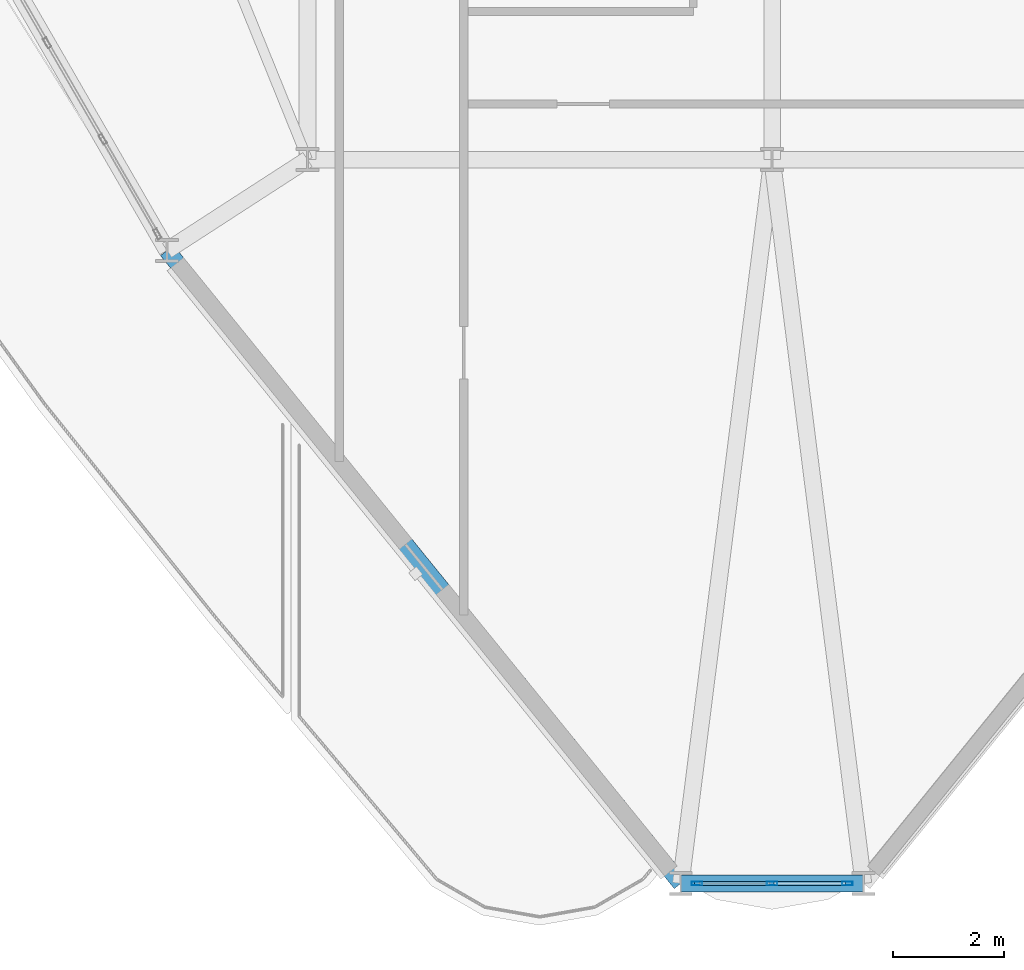
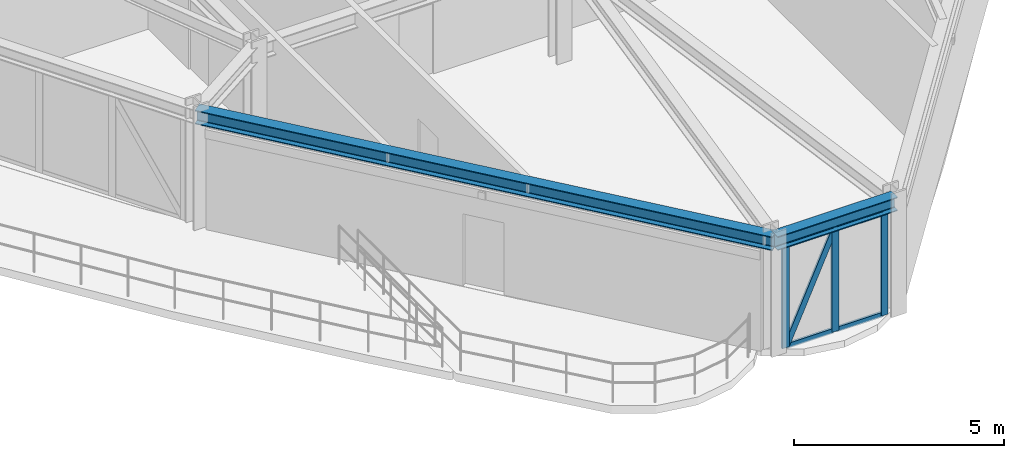
# One storey, part 3 of 18: 8 members, 2 beams, 1 element without a shape of its own.
"""IFC4 building model written with IfcOpenShell, lengths in metres."""

from ifc_helpers import new_model, si_unit, derived_unit, direction, frame, origin, origin_2d, place, context, subcontext, project, spatial, hollow_rectangle, i_section, extrude, source, transform, mapped, material, layer, layer_set, material_profile, profile_set, type_object, element, aggregate, save


model = new_model("IFC4")

# Units and contexts
model_context = context("Model", 3, precision=1e-05, world=origin(), true_north=direction((0.0, 1.0)))
body_context = subcontext(model_context, "Body", "Model", "MODEL_VIEW")
ifc_project = project(units=[si_unit("LENGTHUNIT", "METRE"), si_unit("AREAUNIT", "SQUARE_METRE"), si_unit("VOLUMEUNIT", "CUBIC_METRE"), si_unit("PLANEANGLEUNIT", "RADIAN"), si_unit("MASSUNIT", "GRAM", prefix="KILO"), derived_unit("THERMALTRANSMITTANCEUNIT", [(si_unit("POWERUNIT", "WATT"), 1), (si_unit("LENGTHUNIT", "METRE"), -2), (si_unit("THERMODYNAMICTEMPERATUREUNIT", "KELVIN"), -1)])], contexts=[model_context])

# Site, building, storey
site_placement = place(None, origin())
site = spatial("IfcSite", under=ifc_project, at=site_placement, CompositionType="ELEMENT")
building_placement = place(site_placement, origin())
building = spatial("IfcBuilding", under=site, at=building_placement, Name="Korsvarv Bourse and Concert Hall", CompositionType="ELEMENT")
storey_placement = place(building_placement, frame((0.0, 0.0, 168.60009765625)))
storey = spatial("IfcBuildingStorey", under=building, at=storey_placement, Name="L43", CompositionType="ELEMENT", Elevation=168.60009765625)

# Beams
ifc_material_1 = material(Name="Steel S355", Category="steel")
ifc_material_profile_1 = material_profile(ifc_material_1, i_section(OverallWidth=0.300048828125, OverallDepth=0.39990234375, WebThickness=0.013427734375, FlangeThickness=0.02392578125, FilletRadius=0.02099609375, at=origin_2d()), Name="HEB 400")
ifc_profile_set_1 = profile_set([ifc_material_profile_1], Name="Steel S355")
beam_type = type_object("IfcBeamType", Name="BM-HEB400", PredefinedType="SPANDREL", material=ifc_profile_set_1)
shared_shape_1 = source(origin(), body_context, "Body", "SweptSolid", [
    extrude(i_section(OverallWidth=0.300048828125, OverallDepth=0.39990234375, WebThickness=0.013427734375, FlangeThickness=0.02392578125, FilletRadius=0.02099609375, at=origin_2d()), origin(), (0.0, 0.0, 1.0), 3.30322265625),
])
beam_1_placement = place(storey_placement, frame((34.348388671875, 10.91064453125, 3.199951171875), z_axis=(1.0, 0.0, 0.0), x_axis=(0.0, 1.0, 0.0)))
element("IfcBeam", 1, at=beam_1_placement, inside=storey, type_object=beam_type, Name="L43 beam B-09", PredefinedType="SPANDREL", context=body_context, shape_type="MappedRepresentation", body=[
    mapped(shared_shape_1, transform((0.0, 0.0, 0.0), scale=1.0)),
])
shared_shape_2 = source(origin(), body_context, "Body", "SweptSolid", [
    extrude(i_section(OverallWidth=0.300048828125, OverallDepth=0.39990234375, WebThickness=0.013427734375, FlangeThickness=0.02392578125, FilletRadius=0.02099609375, at=origin_2d()), origin(), (0.0, 0.0, 1.0), 14.739990234375),
])
beam_2_placement = place(storey_placement, frame((25.060302734375, 22.356201171875, 3.199951171875), z_axis=(0.630125471289, -0.77649332929, 0.0), x_axis=(0.77649332929, 0.630125471289, 0.0)))
element("IfcBeam", 2, at=beam_2_placement, inside=storey, type_object=beam_type, Name="L43 beam B-09", PredefinedType="SPANDREL", context=body_context, shape_type="MappedRepresentation", body=[
    mapped(shared_shape_2, transform((0.0, 0.0, 0.0), scale=1.0)),
])

# Curtain wall, members
ifc_material_2 = material(Name="Anodised aluminium and triple low-E glazing", Category="glass")
ifc_layer = layer(ifc_material_2, 0.2099609375)
ifc_layer_set = layer_set([ifc_layer], Name="Anodised aluminium and triple low-E glazing")
curtain_wall_type = type_object("IfcCurtainWallType", Name="CW-SYS-2", PredefinedType="NOTDEFINED", material=ifc_layer_set)
curtain_wall_placement = place(storey_placement, origin())
curtain_wall = element("IfcCurtainWall", 3, at=curtain_wall_placement, inside=storey, type_object=curtain_wall_type, Name="L43 CW2 curtain wall CW-L43-F09", PredefinedType="NOTDEFINED")
ifc_material_3 = material(Name="Extruded aluminium EN AW-6063 T66", Category="aluminium")
ifc_material_profile_2 = material_profile(ifc_material_3, hollow_rectangle(XDim=0.070068359375, YDim=0.18994140625, WallThickness=0.0048828125, at=origin_2d()), Name="ALU-M 70x190")
ifc_profile_set_2 = profile_set([ifc_material_profile_2], Name="Extruded aluminium EN AW-6063 T66")
member_type_1 = type_object("IfcMemberType", Name="CWM-190", PredefinedType="MULLION", material=ifc_profile_set_2)
shared_shape_3 = source(origin(), body_context, "Body", "SweptSolid", [
    extrude(hollow_rectangle(XDim=0.070068359375, YDim=0.18994140625, WallThickness=0.0048828125, at=origin_2d()), origin(), (0.0, 0.0, 1.0), 3.0),
])
member_1_placement = place(storey_placement, frame((34.639404296875, 10.91064453125, 0.0), z_axis=(0.0, 0.0, 1.0), x_axis=(0.0, 1.0, 0.0)))
member_1 = element("IfcMember", 4, at=member_1_placement, type_object=member_type_1, Name="CW2 mullion 1", PredefinedType="MULLION", context=body_context, shape_type="MappedRepresentation", body=[
    mapped(shared_shape_3, transform((0.0, 0.0, 0.0), scale=1.0)),
])
member_2_placement = place(storey_placement, frame((36.0, 10.91064453125, 0.0), z_axis=(0.0, 0.0, 1.0), x_axis=(0.0, 1.0, 0.0)))
member_2 = element("IfcMember", 5, at=member_2_placement, type_object=member_type_1, Name="CW2 mullion 2", PredefinedType="MULLION", context=body_context, shape_type="MappedRepresentation", body=[
    mapped(shared_shape_3, transform((0.0, 0.0, 0.0), scale=1.0)),
])
member_3_placement = place(storey_placement, frame((37.360595703125, 10.91064453125, 0.0), z_axis=(0.0, 0.0, 1.0), x_axis=(0.0, 1.0, 0.0)))
member_3 = element("IfcMember", 6, at=member_3_placement, type_object=member_type_1, Name="CW2 mullion 3", PredefinedType="MULLION", context=body_context, shape_type="MappedRepresentation", body=[
    mapped(shared_shape_3, transform((0.0, 0.0, 0.0), scale=1.0)),
])
ifc_material_profile_3 = material_profile(ifc_material_3, hollow_rectangle(XDim=0.06494140625, YDim=0.139892578125, WallThickness=0.00390625, at=origin_2d()), Name="ALU-T 65x140")
ifc_profile_set_3 = profile_set([ifc_material_profile_3], Name="Extruded aluminium EN AW-6063 T66")
member_type_2 = type_object("IfcMemberType", Name="CWT-140", PredefinedType="USERDEFINED", material=ifc_profile_set_3)
shared_shape_4 = source(origin(), body_context, "Body", "SweptSolid", [
    extrude(hollow_rectangle(XDim=0.06494140625, YDim=0.139892578125, WallThickness=0.00390625, at=origin_2d()), origin(), (0.0, 0.0, 1.0), 1.290771484375),
])
member_4_placement = place(storey_placement, frame((34.67431640625, 10.91064453125, 0.032470703125), z_axis=(1.0, 0.0, 0.0), x_axis=(0.0, 1.0, 0.0)))
member_4 = element("IfcMember", 7, at=member_4_placement, type_object=member_type_2, Name="CW2 transom 1.1", ObjectType="TRANSOM", PredefinedType="USERDEFINED", context=body_context, shape_type="MappedRepresentation", body=[
    mapped(shared_shape_4, transform((0.0, 0.0, 0.0), scale=1.0)),
])
member_5_placement = place(storey_placement, frame((34.67431640625, 10.91064453125, 2.96728515625), z_axis=(1.0, 0.0, 0.0), x_axis=(0.0, 1.0, 0.0)))
member_5 = element("IfcMember", 8, at=member_5_placement, type_object=member_type_2, Name="CW2 transom 1.2", ObjectType="TRANSOM", PredefinedType="USERDEFINED", context=body_context, shape_type="MappedRepresentation", body=[
    mapped(shared_shape_4, transform((0.0, 0.0, 0.0), scale=1.0)),
])
member_6_placement = place(storey_placement, frame((36.034912109375, 10.91064453125, 0.032470703125), z_axis=(1.0, 0.0, 0.0), x_axis=(0.0, 1.0, 0.0)))
member_6 = element("IfcMember", 9, at=member_6_placement, type_object=member_type_2, Name="CW2 transom 2.1", ObjectType="TRANSOM", PredefinedType="USERDEFINED", context=body_context, shape_type="MappedRepresentation", body=[
    mapped(shared_shape_4, transform((0.0, 0.0, 0.0), scale=1.0)),
])
member_7_placement = place(storey_placement, frame((36.034912109375, 10.91064453125, 2.96728515625), z_axis=(1.0, 0.0, 0.0), x_axis=(0.0, 1.0, 0.0)))
member_7 = element("IfcMember", 10, at=member_7_placement, type_object=member_type_2, Name="CW2 transom 2.2", ObjectType="TRANSOM", PredefinedType="USERDEFINED", context=body_context, shape_type="MappedRepresentation", body=[
    mapped(shared_shape_4, transform((0.0, 0.0, 0.0), scale=1.0)),
])
ifc_material_profile_4 = material_profile(ifc_material_3, hollow_rectangle(XDim=0.06494140625, YDim=0.1650390625, WallThickness=0.0048828125, at=origin_2d()), Name="ALU-M 65x165")
ifc_profile_set_4 = profile_set([ifc_material_profile_4], Name="Extruded aluminium EN AW-6063 T66")
member_type_3 = type_object("IfcMemberType", Name="CWM-165", PredefinedType="MULLION", material=ifc_profile_set_4)
shared_shape_5 = source(origin(), body_context, "Body", "SweptSolid", [
    extrude(hollow_rectangle(XDim=0.06494140625, YDim=0.1650390625, WallThickness=0.0048828125, at=origin_2d()), origin(), (0.0, 0.0, 1.0), 3.146728515625),
])
member_8_placement = place(storey_placement, frame((34.67431640625, 10.91064453125, 0.06494140625), z_axis=(0.41018724226, 0.0, 0.9120013302), x_axis=(0.0, 1.0, 0.0)))
member_8 = element("IfcMember", 11, at=member_8_placement, type_object=member_type_3, Name="CW2 diagonal mullion 1", PredefinedType="MULLION", context=body_context, shape_type="MappedRepresentation", body=[
    mapped(shared_shape_5, transform((0.0, 0.0, 0.0), scale=1.0)),
])
aggregate(curtain_wall, [member_1, member_2, member_3, member_4, member_5, member_8, member_6, member_7])

save(model, "model.ifc")
